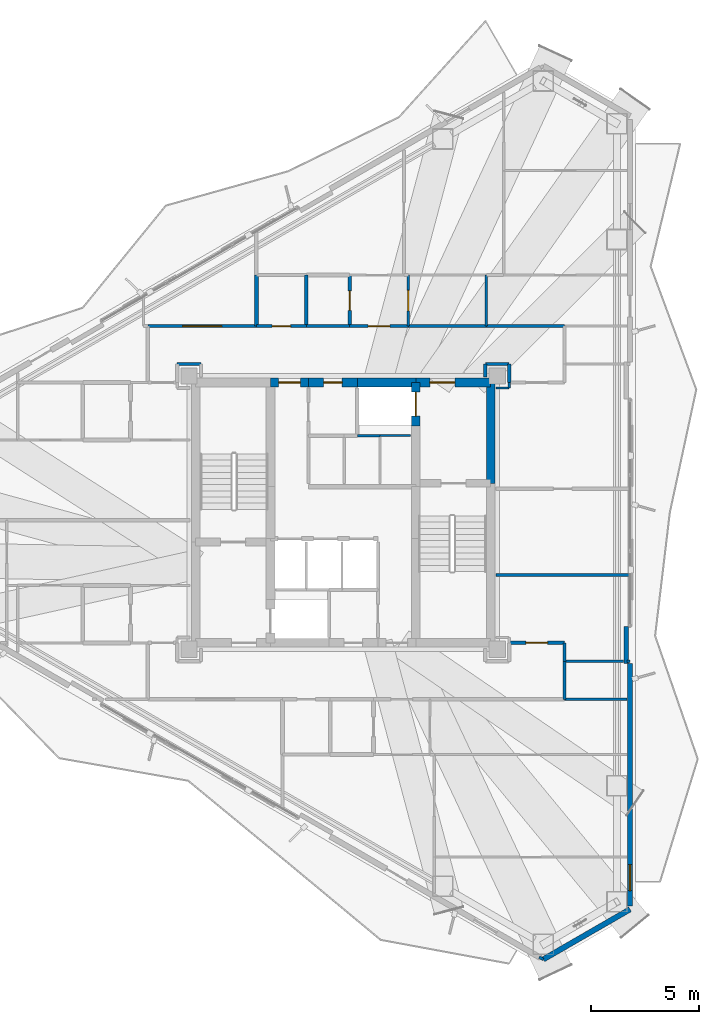
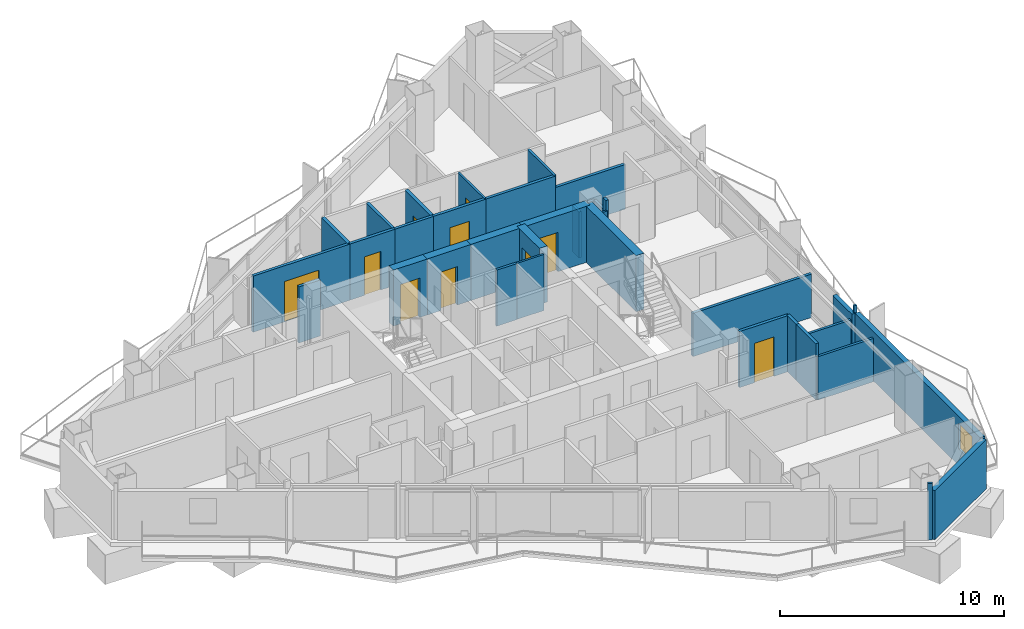
# One storey, part 17 of 21: 36 walls, 10 doors, 1 window, 11 openings.
"""IFC4 building model written with IfcOpenShell, lengths in metres."""

import ifcopenshell
import ifcopenshell.guid

model = None  # the IFC model being written
_history = None  # IfcOwnerHistory: only IFC2X3 demands one
_inside = {}  # id of a spatial element -> (the spatial element, [elements in it])
_under = {}  # id of a project, library or spatial element -> (it, [spatial elements below it])
_declared = {}  # id of a project -> (the project, [libraries it declares])
_typed = {}  # id of a type object -> (the type object, [elements of that type])
_made_of = {}  # id of a material, layer set ... -> (it, [elements and type objects made of it])


def new_model(schema):
    """Start an empty IFC model of exactly this schema.

    Asked for "IFC4X3", IfcOpenShell would pick the latest addendum, in which some entities
    have other attributes; the version numbers below select the first issue.
    IFC2X3 requires an IfcOwnerHistory on every rooted entity: one is made here for all.
    """
    global model, _history
    if schema == "IFC4X3":
        model = ifcopenshell.file(schema_version=(4, 3, 0, 0))
    else:
        model = ifcopenshell.file(schema=schema)
    _inside.clear()
    _under.clear()
    _declared.clear()
    _typed.clear()
    _made_of.clear()
    _history = None
    if model.schema == "IFC2X3":
        org = make("IfcOrganization", Name="unknown")
        user = make(
            "IfcPersonAndOrganization",
            ThePerson=make("IfcPerson", FamilyName="unknown"),
            TheOrganization=org,
        )
        app = make(
            "IfcApplication",
            ApplicationDeveloper=org,
            Version="unknown",
            ApplicationFullName="unknown",
            ApplicationIdentifier="unknown",
        )
        _history = make(
            "IfcOwnerHistory",
            OwningUser=user,
            OwningApplication=app,
            ChangeAction="ADDED",
            CreationDate=0,
        )
    return model


def make(cls, **values):
    """One entity of the class cls with the attributes given. An attribute that is None is left unset."""
    return model.create_entity(
        cls, **{name: value for name, value in values.items() if value is not None}
    )


def rooted(cls, **values):
    """An entity with a GlobalId (a new one), such as an element, a storey or a relation."""
    return make(cls, GlobalId=ifcopenshell.guid.new(), OwnerHistory=_history, **values)


def si_unit(unit_type, name, prefix=None):
    """IfcSIUnit, for example si_unit("LENGTHUNIT", "METRE", prefix="MILLI")."""
    return make("IfcSIUnit", UnitType=unit_type, Prefix=prefix, Name=name)


def assignment(units):
    """IfcUnitAssignment: the units of a project."""
    return None if units is None else make("IfcUnitAssignment", Units=units)


def point(xyz):
    """IfcCartesianPoint."""
    return None if xyz is None else make("IfcCartesianPoint", Coordinates=xyz)


def direction(xyz):
    """IfcDirection."""
    return None if xyz is None else make("IfcDirection", DirectionRatios=xyz)


def frame(location, z_axis=None, x_axis=None):
    """IfcAxis2Placement3D, a coordinate frame: its origin and axes. An axis left out is left unset."""
    return make(
        "IfcAxis2Placement3D",
        Location=point(location),
        Axis=direction(z_axis),
        RefDirection=direction(x_axis),
    )


def frame_2d(location, x_axis=None):
    """IfcAxis2Placement2D, a coordinate frame in the plane: its origin and x axis."""
    return make(
        "IfcAxis2Placement2D", Location=point(location), RefDirection=direction(x_axis)
    )


def origin():
    """The frame at (0, 0, 0) with its axes left unset."""
    return frame((0.0, 0.0, 0.0))


def place(relative_to, where):
    """IfcLocalPlacement: puts the frame where relative to a parent placement (None: the world)."""
    return make(
        "IfcLocalPlacement", PlacementRelTo=relative_to, RelativePlacement=where
    )


def context(
    kind, dimensions, precision=None, world=None, true_north=None, identifier=None
):
    """IfcGeometricRepresentationContext, for example the 3D "Model" context."""
    return make(
        "IfcGeometricRepresentationContext",
        ContextIdentifier=identifier,
        ContextType=kind,
        CoordinateSpaceDimension=dimensions,
        Precision=precision,
        WorldCoordinateSystem=world,
        TrueNorth=true_north,
    )


def subcontext(parent, identifier, kind, view, scale=None):
    """IfcGeometricRepresentationSubContext, for example "Body" below "Model"."""
    return make(
        "IfcGeometricRepresentationSubContext",
        ContextIdentifier=identifier,
        ContextType=kind,
        ParentContext=parent,
        TargetScale=scale,
        TargetView=view,
    )


def project(units=None, contexts=None):
    """IfcProject with its units and contexts."""
    return rooted(
        "IfcProject",
        Name="project",
        RepresentationContexts=contexts,
        UnitsInContext=assignment(units),
    )


def spatial(cls, under=None, at=None, **own):
    """A site, building, storey or space (cls), placed at a placement, below another one or the project."""
    s = rooted(cls, ObjectPlacement=at, **own)
    if under is not None:
        _under.setdefault(under.id(), (under, []))[1].append(s)
    return s


def profile(cls, at=None, kind="AREA", **sizes):
    """A parametric profile (cls). Its sizes go by their IFC names, for example OverallWidth=200.0."""
    return make(cls, ProfileType=kind, Position=at, **sizes)


def rectangle(**sizes):
    """IfcRectangleProfileDef."""
    return profile("IfcRectangleProfileDef", **sizes)


def extrude(swept, where, along, depth):
    """IfcExtrudedAreaSolid: the profile swept, set in the frame where, extruded along a direction by depth."""
    return make(
        "IfcExtrudedAreaSolid",
        SweptArea=swept,
        Position=where,
        ExtrudedDirection=direction(along),
        Depth=depth,
    )


def shape(context_of_items, identifier, shape_type, items):
    """IfcShapeRepresentation: the items that make up one representation, for example the "Body"."""
    return make(
        "IfcShapeRepresentation",
        ContextOfItems=context_of_items,
        RepresentationIdentifier=identifier,
        RepresentationType=shape_type,
        Items=items,
    )


def material(Name=None, Category=None):
    """IfcMaterial."""
    return make("IfcMaterial", Name=Name, Category=Category)


def layer(
    of_material, thickness, ventilated=None, Name=None, Category=None, Priority=None
):
    """IfcMaterialLayer: one layer of a wall or slab, of a material (None: an air gap)."""
    return make(
        "IfcMaterialLayer",
        Material=of_material,
        LayerThickness=thickness,
        IsVentilated=ventilated,
        Name=Name,
        Category=Category,
        Priority=Priority,
    )


def layer_set(layers, Name=None):
    """IfcMaterialLayerSet."""
    return make("IfcMaterialLayerSet", MaterialLayers=layers, LayerSetName=Name)


def made_of(thing, what):
    """Note that an element or type object is made of a material, layer set ...; save() writes the relation."""
    if what is not None:
        _made_of.setdefault(what.id(), (what, []))[1].append(thing)
    return thing


def type_object(cls, material=None, **own):
    """A type object (cls), such as IfcWallType, which elements share."""
    return made_of(rooted(cls, **own), material)


def element(
    cls,
    number,
    at=None,
    inside=None,
    cuts=None,
    type_object=None,
    material=None,
    context=None,
    identifier="Body",
    shape_type=None,
    held_by="IfcProductDefinitionShape",
    body=None,
    shapes=None,
    **own,
):
    """One element of the class cls, such as IfcWall. Its Tag is "e" and its number.

    at: its placement. inside: the storey or other place that contains it. cuts: it is an
    opening in that element (IfcRelVoidsElement). A single representation is given by context,
    identifier, shape_type and body (its items); several are given by shapes. held_by: the class
    of the entity that holds the representations. save() writes the other relations.
    """
    e = rooted(cls, Tag="e%d" % number, ObjectPlacement=at, **own)
    if body is not None:
        shapes = [shape(context, identifier, shape_type, body)]
    if shapes is not None:
        e.Representation = make(held_by, Representations=shapes)
    if inside is not None:
        _inside.setdefault(inside.id(), (inside, []))[1].append(e)
    if cuts is not None:
        rooted(
            "IfcRelVoidsElement", RelatingBuildingElement=cuts, RelatedOpeningElement=e
        )
    if type_object is not None:
        _typed.setdefault(type_object.id(), (type_object, []))[1].append(e)
    return made_of(e, material)


def fill(opening, filler):
    """IfcRelFillsElement: the door or window that sits in an opening."""
    return rooted(
        "IfcRelFillsElement",
        RelatingOpeningElement=opening,
        RelatedBuildingElement=filler,
    )


def aggregate(whole, parts):
    """IfcRelAggregates: a whole, such as a stair, and the parts it consists of."""
    return rooted("IfcRelAggregates", RelatingObject=whole, RelatedObjects=parts)


def save(model, path):
    """Write the relations noted so far, then the file.

    IfcRelAggregates (storeys below a building ...), IfcRelContainedInSpatialStructure (elements
    in a storey), IfcRelDefinesByType, IfcRelAssociatesMaterial and IfcRelDeclares: one each for
    every whole, place, type object, material and project.
    """
    for whole, parts in _under.values():
        aggregate(whole, parts)
    for where, things in _inside.values():
        rooted(
            "IfcRelContainedInSpatialStructure",
            RelatedElements=things,
            RelatingStructure=where,
        )
    for kind, things in _typed.values():
        rooted("IfcRelDefinesByType", RelatedObjects=things, RelatingType=kind)
    for what, things in _made_of.values():
        rooted("IfcRelAssociatesMaterial", RelatedObjects=things, RelatingMaterial=what)
    for by, libraries in _declared.values():
        rooted("IfcRelDeclares", RelatingContext=by, RelatedDefinitions=libraries)
    model.write(path)


model = new_model("IFC4")

# Units and contexts
model_context = context("Model", 3, precision=1e-05, world=origin(), true_north=direction((0.0, 1.0)))
body_context = subcontext(model_context, "Body", "Model", "MODEL_VIEW")
ifc_project = project(units=[si_unit("LENGTHUNIT", "METRE"), si_unit("AREAUNIT", "SQUARE_METRE"), si_unit("VOLUMEUNIT", "CUBIC_METRE"), si_unit("PLANEANGLEUNIT", "RADIAN"), si_unit("MASSUNIT", "GRAM", prefix="KILO")], contexts=[model_context])

# Site, building, storey
site_placement = place(None, origin())
site = spatial("IfcSite", under=ifc_project, at=site_placement, CompositionType="ELEMENT")
building_placement = place(site_placement, origin())
building = spatial("IfcBuilding", under=site, at=building_placement, Name="Mersakhor Tower and Convention Hall", CompositionType="ELEMENT")
storey_placement = place(building_placement, frame((0.0, 0.0, 121.199951171875)))
storey = spatial("IfcBuildingStorey", under=building, at=storey_placement, Name="L33", CompositionType="ELEMENT", Elevation=121.199951171875)

# Wall
ifc_material_1 = material(Name="Precast concrete C40/50", Category="concrete")
ifc_layer_1 = layer(ifc_material_1, 0.25)
ifc_layer_set_1 = layer_set([ifc_layer_1], Name="Precast concrete C40/50")
wall_type_1 = type_object("IfcWallType", Name="WL-EXT-250", PredefinedType="SOLIDWALL", material=ifc_layer_set_1)
wall_1_placement = place(storey_placement, frame((42.21923828125, 8.470947265625, 0.0), z_axis=(0.0, 0.0, 1.0), x_axis=(-0.866035021055, -0.499983342029, 0.0)))
element("IfcWall", 1, at=wall_1_placement, inside=storey, type_object=wall_type_1, Name="L33 Chamfer Braced Spandrel Wall C2", PredefinedType="SOLIDWALL", context=body_context, shape_type="SweptSolid", body=[
    extrude(rectangle(XDim=4.617431640625, YDim=0.25, at=frame_2d((2.30859375, 0.0))), origin(), (0.0, 0.0, 1.0), 2.679931640625),
])

# Wall, opening, window
wall_2_placement = place(storey_placement, frame((42.21923828125, 19.806884765625, 0.0), z_axis=(0.0, 0.0, 1.0), x_axis=(0.0, -1.0, 0.0)))
wall_2 = element("IfcWall", 2, at=wall_2_placement, inside=storey, type_object=wall_type_1, Name="L33 Exterior Facade Wall F2-B3", PredefinedType="SOLIDWALL", context=body_context, shape_type="SweptSolid", body=[
    extrude(rectangle(XDim=11.185791015625, YDim=0.25, at=frame_2d((5.5927734375, 0.0))), origin(), (0.0, 0.0, 1.0), 2.679931640625),
])
opening_1_placement = place(wall_2_placement, frame((9.277099609375, 0.0, 0.89990234375)))
opening_1 = element("IfcOpeningElement", 3, at=opening_1_placement, cuts=wall_2, Name="Opening W-01", PredefinedType="OPENING", context=body_context, shape_type="SweptSolid", body=[
    extrude(rectangle(XDim=1.199951171875, YDim=1.39990234375, at=frame_2d((0.60009765625, 0.699951171875))), frame((0.0, 0.135009765625, 0.0), z_axis=(0.0, -1.0, 0.0), x_axis=(1.0, 0.0, 0.0)), (0.0, 0.0, 1.0), 0.27001953125),
])
ifc_material_2 = material(Name="Dark solar low-E glazed aluminium window", Category="aluminium")
window_type = type_object("IfcWindowType", Name="WN-RES-120x150", PartitioningType="SINGLE_PANEL", PredefinedType="WINDOW", material=ifc_material_2)
window_placement = place(opening_1_placement, origin())
window = element("IfcWindow", 4, at=window_placement, inside=storey, type_object=window_type, Name="L33 Bedroom Facade Window F2-B3-1", OverallHeight=1.39990234375, OverallWidth=1.199951171875, PartitioningType="SINGLE_PANEL", PredefinedType="WINDOW", context=body_context, shape_type="SweptSolid", body=[
    extrude(rectangle(XDim=1.199951171875, YDim=1.39990234375, at=frame_2d((0.60009765625, 0.699951171875))), frame((0.0, 0.030029296875, 0.0), z_axis=(0.0, -1.0, 0.0), x_axis=(1.0, 0.0, 0.0)), (0.0, 0.0, 1.0), 0.06005859375),
])
fill(opening_1, window)

# Wall
ifc_material_3 = material(Name="Precast concrete C40/50", Category="concrete")
ifc_layer_2 = layer(ifc_material_3, 0.199951171875)
ifc_layer_set_2 = layer_set([ifc_layer_2], Name="Precast concrete C40/50")
wall_type_2 = type_object("IfcWallType", Name="WL-PAR-200", PredefinedType="PARAPET", material=ifc_layer_set_2)
wall_3_placement = place(storey_placement, frame((42.039306640625, 21.507080078125, 0.0), z_axis=(0.0, 0.0, 1.0), x_axis=(0.0, -1.0, 0.0)))
element("IfcWall", 5, at=wall_3_placement, inside=storey, type_object=wall_type_2, Name="L33 Column Pier Cladding Wall F2-C2", PredefinedType="PARAPET", context=body_context, shape_type="SweptSolid", body=[
    extrude(rectangle(XDim=1.7001953125, YDim=0.199951171875, at=frame_2d((0.85009765625, 0.0))), origin(), (0.0, 0.0, 1.0), 2.679931640625),
])

# Wall, opening, door
ifc_material_4 = material(Name="Moisture-resistant acoustic drywall studwork", Category="other")
ifc_layer_3 = layer(ifc_material_4, 0.175048828125)
ifc_layer_set_3 = layer_set([ifc_layer_3], Name="Moisture-resistant acoustic drywall studwork")
wall_type_3 = type_object("IfcWallType", Name="WL-PLM-175", PredefinedType="PLUMBINGWALL", material=ifc_layer_set_3)
wall_4_placement = place(storey_placement, frame((29.300048828125, 35.35009765625, 0.0), z_axis=(0.0, 0.0, 1.0), x_axis=(0.0, 1.0, 0.0)))
wall_4 = element("IfcWall", 6, at=wall_4_placement, inside=storey, type_object=wall_type_3, Name="L33 Interior Partition Wall P-055", PredefinedType="PLUMBINGWALL", context=body_context, shape_type="SweptSolid", body=[
    extrude(rectangle(XDim=2.349853515625, YDim=0.175048828125, at=frame_2d((1.1748046875, 0.0))), origin(), (0.0, 0.0, 1.0), 3.06005859375),
])
opening_2_placement = place(wall_4_placement, frame((0.72509765625, 0.0, 0.0)))
opening_2 = element("IfcOpeningElement", 7, at=opening_2_placement, cuts=wall_4, Name="Opening WD-01", PredefinedType="OPENING", context=body_context, shape_type="SweptSolid", body=[
    extrude(rectangle(XDim=0.89990234375, YDim=2.10009765625, at=frame_2d((0.449951171875, 1.050048828125))), frame((0.0, 0.097412109375, 0.0), z_axis=(0.0, -1.0, 0.0), x_axis=(1.0, 0.0, 0.0)), (0.0, 0.0, 1.0), 0.195068359375),
])
ifc_material_5 = material(Name="Solid-core hardwood leaf in painted steel frame", Category="steel")
door_type_1 = type_object("IfcDoorType", Name="DR-INT-WET-090x210", OperationType="NOTDEFINED", PredefinedType="DOOR", material=ifc_material_5)
door_1_placement = place(opening_2_placement, origin())
door_1 = element("IfcDoor", 8, at=door_1_placement, inside=storey, type_object=door_type_1, Name="L33 L33 Flat N1 Apartment Hall to L33 Flat N1 Bathroom Door", OperationType="SINGLE_SWING_RIGHT", OverallHeight=2.10009765625, OverallWidth=0.89990234375, PredefinedType="DOOR", context=body_context, shape_type="SweptSolid", body=[
    extrude(rectangle(XDim=0.89990234375, YDim=2.10009765625, at=frame_2d((0.449951171875, 1.050048828125))), frame((0.0, 0.02490234375, 0.0), z_axis=(0.0, -1.0, 0.0), x_axis=(1.0, 0.0, 0.0)), (0.0, 0.0, 1.0), 0.050048828125),
])
fill(opening_2, door_1)

# Walls
wall_5_placement = place(storey_placement, frame((25.0, 35.35009765625, 0.0), z_axis=(0.0, 0.0, 1.0), x_axis=(0.0, 1.0, 0.0)))
element("IfcWall", 9, at=wall_5_placement, inside=storey, type_object=wall_type_3, Name="L33 Interior Partition Wall P-071", PredefinedType="PLUMBINGWALL", context=body_context, shape_type="SweptSolid", body=[
    extrude(rectangle(XDim=2.349853515625, YDim=0.175048828125, at=frame_2d((1.1748046875, 0.0))), origin(), (0.0, 0.0, 1.0), 3.06005859375),
])
ifc_material_6 = material(Name="Lightweight gypsum partition", Category="other")
ifc_layer_4 = layer(ifc_material_6, 0.10009765625)
ifc_layer_set_4 = layer_set([ifc_layer_4], Name="Lightweight gypsum partition")
wall_type_4 = type_object("IfcWallType", Name="WL-PRT-100", PredefinedType="PARTITIONING", material=ifc_layer_set_4)
wall_6_placement = place(storey_placement, frame((32.10009765625, 30.300048828125, 0.0), z_axis=(0.0, 0.0, 1.0), x_axis=(-1.0, 0.0, 0.0)))
element("IfcWall", 10, at=wall_6_placement, inside=storey, type_object=wall_type_4, Name="L33 Interior Partition Wall P-004", PredefinedType="PARTITIONING", context=body_context, shape_type="SweptSolid", body=[
    extrude(rectangle(XDim=1.400146484375, YDim=0.10009765625, at=frame_2d((0.7001953125, 0.0))), origin(), (0.0, 0.0, 1.0), 3.06005859375),
])

# Wall, opening, door
wall_7_placement = place(storey_placement, frame((32.0, 37.699951171875, 0.0), z_axis=(0.0, 0.0, 1.0), x_axis=(0.0, -1.0, 0.0)))
wall_7 = element("IfcWall", 11, at=wall_7_placement, inside=storey, type_object=wall_type_4, Name="L33 Interior Partition Wall P-054", PredefinedType="PARTITIONING", context=body_context, shape_type="SweptSolid", body=[
    extrude(rectangle(XDim=2.349853515625, YDim=0.10009765625, at=frame_2d((1.1748046875, 0.0))), origin(), (0.0, 0.0, 1.0), 3.06005859375),
])
opening_3_placement = place(wall_7_placement, frame((0.699951171875, 0.0, 0.0)))
opening_3 = element("IfcOpeningElement", 12, at=opening_3_placement, cuts=wall_7, Name="Opening RD-01", PredefinedType="OPENING", context=body_context, shape_type="SweptSolid", body=[
    extrude(rectangle(XDim=0.949951171875, YDim=2.10009765625, at=frame_2d((0.47509765625, 1.050048828125))), frame((0.0, 0.06005859375, 0.0), z_axis=(0.0, -1.0, 0.0), x_axis=(1.0, 0.0, 0.0)), (0.0, 0.0, 1.0), 0.1201171875),
])
ifc_material_7 = material(Name="Solid-core hardwood leaf in painted steel frame", Category="steel")
door_type_2 = type_object("IfcDoorType", Name="DR-INT-RM-095x210", OperationType="NOTDEFINED", PredefinedType="DOOR", material=ifc_material_7)
door_2_placement = place(opening_3_placement, origin())
door_2 = element("IfcDoor", 13, at=door_2_placement, inside=storey, type_object=door_type_2, Name="L33 L33 Flat N1 Apartment Hall to L33 Flat N1 Kitchen Door", OperationType="SINGLE_SWING_LEFT", OverallHeight=2.10009765625, OverallWidth=0.949951171875, PredefinedType="DOOR", context=body_context, shape_type="SweptSolid", body=[
    extrude(rectangle(XDim=0.949951171875, YDim=2.10009765625, at=frame_2d((0.47509765625, 1.050048828125))), frame((0.0, 0.02490234375, 0.0), z_axis=(0.0, -1.0, 0.0), x_axis=(1.0, 0.0, 0.0)), (0.0, 0.0, 1.0), 0.050048828125),
])
fill(opening_3, door_2)

# Walls
wall_8_placement = place(storey_placement, frame((36.050048828125, 32.5, 0.0), z_axis=(0.0, 0.0, 1.0), x_axis=(1.0, 0.0, 0.0)))
element("IfcWall", 14, at=wall_8_placement, inside=storey, type_object=wall_type_4, Name="L33 Interior Partition Wall P-100", PredefinedType="PARTITIONING", context=body_context, shape_type="SweptSolid", body=[
    extrude(rectangle(XDim=0.599853515625, YDim=0.10009765625, at=frame_2d((0.2998046875, 0.0))), origin(), (0.0, 0.0, 1.0), 2.50830078125),
])
wall_9_placement = place(storey_placement, frame((42.218994140625, 19.89990234375, 0.0), z_axis=(0.0, 0.0, 1.0), x_axis=(-1.0, 0.0, 0.0)))
element("IfcWall", 15, at=wall_9_placement, inside=storey, type_object=wall_type_4, Name="L33 Interior Partition Wall P-108", PredefinedType="PARTITIONING", context=body_context, shape_type="SweptSolid", body=[
    extrude(rectangle(XDim=0.144775390625, YDim=0.10009765625, at=frame_2d((0.072265625, 0.0))), origin(), (0.0, 0.0, 1.0), 3.06005859375),
])
ifc_material_8 = material(Name="Gypsum board acoustic partition", Category="other")
ifc_layer_5 = layer(ifc_material_8, 0.125)
ifc_layer_set_5 = layer_set([ifc_layer_5], Name="Gypsum board acoustic partition")
wall_type_5 = type_object("IfcWallType", Name="WL-PRT-125", PredefinedType="PARTITIONING", material=ifc_layer_set_5)
wall_10_placement = place(storey_placement, frame((30.699951171875, 30.300048828125, 0.0), z_axis=(0.0, 0.0, 1.0), x_axis=(-1.0, 0.0, 0.0)))
element("IfcWall", 16, at=wall_10_placement, inside=storey, type_object=wall_type_5, Name="L33 Interior Partition Wall P-005", PredefinedType="PARTITIONING", context=body_context, shape_type="SweptSolid", body=[
    extrude(rectangle(XDim=1.050048828125, YDim=0.125, at=frame_2d((0.52490234375, 0.0))), origin(), (0.0, 0.0, 1.0), 3.06005859375),
])
wall_11_placement = place(storey_placement, frame((35.60009765625, 37.699951171875, 0.0), z_axis=(0.0, 0.0, 1.0), x_axis=(0.0, -1.0, 0.0)))
element("IfcWall", 17, at=wall_11_placement, inside=storey, type_object=wall_type_5, Name="L33 Interior Partition Wall P-077", PredefinedType="PARTITIONING", context=body_context, shape_type="SweptSolid", body=[
    extrude(rectangle(XDim=2.349853515625, YDim=0.125, at=frame_2d((1.1748046875, 0.0))), origin(), (0.0, 0.0, 1.0), 3.06005859375),
])
wall_12_placement = place(storey_placement, frame((39.199951171875, 18.14990234375, 0.0), z_axis=(0.0, 0.0, 1.0), x_axis=(1.0, 0.0, 0.0)))
element("IfcWall", 18, at=wall_12_placement, inside=storey, type_object=wall_type_5, Name="L33 Interior Partition Wall P-079", PredefinedType="PARTITIONING", context=body_context, shape_type="SweptSolid", body=[
    extrude(rectangle(XDim=2.870361328125, YDim=0.125, at=frame_2d((1.43505859375, 0.0))), origin(), (0.0, 0.0, 1.0), 2.364990234375),
])
wall_13_placement = place(storey_placement, frame((36.64990234375, 32.5, 0.0), z_axis=(0.0, 0.0, 1.0), x_axis=(0.0, 1.0, 0.0)))
element("IfcWall", 19, at=wall_13_placement, inside=storey, type_object=wall_type_5, Name="L33 Interior Partition Wall P-101", PredefinedType="PARTITIONING", context=body_context, shape_type="SweptSolid", body=[
    extrude(rectangle(XDim=0.25, YDim=0.125, at=frame_2d((0.125, 0.0))), origin(), (0.0, 0.0, 1.0), 3.06005859375),
])
wall_14_placement = place(storey_placement, frame((41.915283203125, 19.89990234375, 0.0), z_axis=(0.0, 0.0, 1.0), x_axis=(-1.0, 0.0, 0.0)))
element("IfcWall", 20, at=wall_14_placement, inside=storey, type_object=wall_type_5, Name="L33 Interior Partition Wall P-109", PredefinedType="PARTITIONING", context=body_context, shape_type="SweptSolid", body=[
    extrude(rectangle(XDim=2.71533203125, YDim=0.125, at=frame_2d((1.357666015625, 0.0))), origin(), (0.0, 0.0, 1.0), 2.364990234375),
])
wall_15_placement = place(storey_placement, frame((38.220703125, 6.162109375, 0.0), z_axis=(0.0, 0.0, 1.0), x_axis=(-0.865581379588, 0.500768285049, 0.0)))
element("IfcWall", 21, at=wall_15_placement, inside=storey, type_object=wall_type_5, Name="L33 Interior Partition Wall P-121", PredefinedType="PARTITIONING", context=body_context, shape_type="SweptSolid", body=[
    extrude(rectangle(XDim=0.215576171875, YDim=0.125, at=frame_2d((0.10791015625, 0.0))), origin(), (0.0, 0.0, 1.0), 3.06005859375),
])
ifc_material_9 = material(Name="Fire-rated gypsum board stud partition", Category="other")
ifc_layer_6 = layer(ifc_material_9, 0.14990234375)
ifc_layer_set_6 = layer_set([ifc_layer_6], Name="Fire-rated gypsum board stud partition")
wall_type_6 = type_object("IfcWallType", Name="WL-PRT-150", PredefinedType="PARTITIONING", material=ifc_layer_set_6)
wall_16_placement = place(storey_placement, frame((35.550048828125, 33.60009765625, 0.0), z_axis=(0.0, 0.0, 1.0), x_axis=(0.0, -1.0, 0.0)))
element("IfcWall", 22, at=wall_16_placement, inside=storey, type_object=wall_type_6, Name="L33 Interior Partition Wall P-019", PredefinedType="PARTITIONING", context=body_context, shape_type="SweptSolid", body=[
    extrude(rectangle(XDim=0.60009765625, YDim=0.14990234375, at=frame_2d((0.300048828125, 0.0))), origin(), (0.0, 0.0, 1.0), 2.50830078125),
])
wall_17_placement = place(storey_placement, frame((22.449951171875, 33.60009765625, 0.0), z_axis=(0.0, 0.0, 1.0), x_axis=(-1.0, 0.0, 0.0)))
element("IfcWall", 23, at=wall_17_placement, inside=storey, type_object=wall_type_6, Name="L33 Interior Partition Wall P-021", PredefinedType="PARTITIONING", context=body_context, shape_type="SweptSolid", body=[
    extrude(rectangle(XDim=1.099853515625, YDim=0.14990234375, at=frame_2d((0.5498046875, 0.0))), origin(), (0.0, 0.0, 1.0), 3.06005859375),
])

# Wall, opening, door
wall_18_placement = place(storey_placement, frame((20.0, 35.35009765625, 0.0), z_axis=(0.0, 0.0, 1.0), x_axis=(1.0, 0.0, 0.0)))
wall_18 = element("IfcWall", 24, at=wall_18_placement, inside=storey, type_object=wall_type_6, Name="L33 Interior Partition Wall P-025", PredefinedType="PARTITIONING", context=body_context, shape_type="SweptSolid", body=[
    extrude(rectangle(XDim=5.0, YDim=0.14990234375, at=frame_2d((2.5, 0.0))), origin(), (0.0, 0.0, 1.0), 3.06005859375),
])
opening_4_placement = place(wall_18_placement, frame((1.60009765625, 0.0, 0.0)))
opening_4 = element("IfcOpeningElement", 25, at=opening_4_placement, cuts=wall_18, Name="Opening HD-01", PredefinedType="OPENING", context=body_context, shape_type="SweptSolid", body=[
    extrude(rectangle(XDim=1.800048828125, YDim=2.199951171875, at=frame_2d((0.89990234375, 1.10009765625))), frame((0.0, 0.0849609375, 0.0), z_axis=(0.0, -1.0, 0.0), x_axis=(1.0, 0.0, 0.0)), (0.0, 0.0, 1.0), 0.169921875),
])
ifc_material_10 = material(Name="Fire-rated hardwood leaf and painted steel frame", Category="steel")
door_type_3 = type_object("IfcDoorType", Name="DR-INT-HALL-180x220", OperationType="NOTDEFINED", PredefinedType="DOOR", material=ifc_material_10)
door_3_placement = place(opening_4_placement, origin())
door_3 = element("IfcDoor", 26, at=door_3_placement, inside=storey, type_object=door_type_3, Name="L33 Residential North Gallery Corridor to L33 North Floor Residents Meeting Room Door", OperationType="DOUBLE_DOOR_SINGLE_SWING", OverallHeight=2.199951171875, OverallWidth=1.800048828125, PredefinedType="DOOR", context=body_context, shape_type="SweptSolid", body=[
    extrude(rectangle(XDim=1.800048828125, YDim=2.199951171875, at=frame_2d((0.89990234375, 1.10009765625))), frame((0.0, 0.02490234375, 0.0), z_axis=(0.0, -1.0, 0.0), x_axis=(1.0, 0.0, 0.0)), (0.0, 0.0, 1.0), 0.050048828125),
])
fill(opening_4, door_3)

wall_19_placement = place(storey_placement, frame((25.0, 35.35009765625, 0.0), z_axis=(0.0, 0.0, 1.0), x_axis=(1.0, 0.0, 0.0)))
wall_19 = element("IfcWall", 27, at=wall_19_placement, inside=storey, type_object=wall_type_6, Name="L33 Interior Partition Wall P-026", PredefinedType="PARTITIONING", context=body_context, shape_type="SweptSolid", body=[
    extrude(rectangle(XDim=2.300048828125, YDim=0.14990234375, at=frame_2d((1.14990234375, 0.0))), origin(), (0.0, 0.0, 1.0), 3.06005859375),
])
opening_5_placement = place(wall_19_placement, frame((0.72509765625, 0.0, 0.0)))
opening_5 = element("IfcOpeningElement", 28, at=opening_5_placement, cuts=wall_19, Name="Opening SVD-01", PredefinedType="OPENING", context=body_context, shape_type="SweptSolid", body=[
    extrude(rectangle(XDim=0.85009765625, YDim=2.10009765625, at=frame_2d((0.425048828125, 1.050048828125))), frame((0.0, 0.0849609375, 0.0), z_axis=(0.0, -1.0, 0.0), x_axis=(1.0, 0.0, 0.0)), (0.0, 0.0, 1.0), 0.169921875),
])
ifc_material_11 = material(Name="Fire-rated hardwood leaf and painted steel frame", Category="steel")
door_type_4 = type_object("IfcDoorType", Name="DR-INT-SVC-085x210", OperationType="NOTDEFINED", PredefinedType="DOOR", material=ifc_material_11)
door_4_placement = place(opening_5_placement, origin())
door_4 = element("IfcDoor", 29, at=door_4_placement, inside=storey, type_object=door_type_4, Name="L33 Residential North Gallery Corridor to L33 North Floor Accessible Toilet WC Door", OperationType="SINGLE_SWING_RIGHT", OverallHeight=2.10009765625, OverallWidth=0.85009765625, PredefinedType="DOOR", context=body_context, shape_type="SweptSolid", body=[
    extrude(rectangle(XDim=0.85009765625, YDim=2.10009765625, at=frame_2d((0.425048828125, 1.050048828125))), frame((0.0, 0.02490234375, 0.0), z_axis=(0.0, -1.0, 0.0), x_axis=(1.0, 0.0, 0.0)), (0.0, 0.0, 1.0), 0.050048828125),
])
fill(opening_5, door_4)

# Wall
wall_20_placement = place(storey_placement, frame((27.300048828125, 35.35009765625, 0.0), z_axis=(0.0, 0.0, 1.0), x_axis=(1.0, 0.0, 0.0)))
element("IfcWall", 30, at=wall_20_placement, inside=storey, type_object=wall_type_6, Name="L33 Interior Partition Wall P-027", PredefinedType="PARTITIONING", context=body_context, shape_type="SweptSolid", body=[
    extrude(rectangle(XDim=2.0, YDim=0.14990234375, at=frame_2d((1.0, 0.0))), origin(), (0.0, 0.0, 1.0), 3.06005859375),
])

# Wall, opening, door
wall_21_placement = place(storey_placement, frame((29.300048828125, 35.35009765625, 0.0), z_axis=(0.0, 0.0, 1.0), x_axis=(1.0, 0.0, 0.0)))
wall_21 = element("IfcWall", 31, at=wall_21_placement, inside=storey, type_object=wall_type_6, Name="L33 Interior Partition Wall P-028", PredefinedType="PARTITIONING", context=body_context, shape_type="SweptSolid", body=[
    extrude(rectangle(XDim=2.699951171875, YDim=0.14990234375, at=frame_2d((1.35009765625, 0.0))), origin(), (0.0, 0.0, 1.0), 3.06005859375),
])
opening_6_placement = place(wall_21_placement, frame((0.85009765625, 0.0, 0.0)))
opening_6 = element("IfcOpeningElement", 32, at=opening_6_placement, cuts=wall_21, Name="Opening FD-01", PredefinedType="OPENING", context=body_context, shape_type="SweptSolid", body=[
    extrude(rectangle(XDim=1.0, YDim=2.14990234375, at=frame_2d((0.5, 1.074951171875))), frame((0.0, 0.0849609375, 0.0), z_axis=(0.0, -1.0, 0.0), x_axis=(1.0, 0.0, 0.0)), (0.0, 0.0, 1.0), 0.169921875),
])
ifc_material_12 = material(Name="Fire-rated hardwood leaf and painted steel frame", Category="steel")
door_type_5 = type_object("IfcDoorType", Name="DR-INT-FLT-100x215", OperationType="NOTDEFINED", PredefinedType="DOOR", material=ifc_material_12)
door_5_placement = place(opening_6_placement, origin())
door_5 = element("IfcDoor", 33, at=door_5_placement, inside=storey, type_object=door_type_5, Name="L33 Apartment Entrance Door (Residential North Gallery Corridor to L33 Flat N1 Apartment Hall)", OperationType="SINGLE_SWING_RIGHT", OverallHeight=2.14990234375, OverallWidth=1.0, PredefinedType="DOOR", context=body_context, shape_type="SweptSolid", body=[
    extrude(rectangle(XDim=1.0, YDim=2.14990234375, at=frame_2d((0.5, 1.074951171875))), frame((0.0, 0.02490234375, 0.0), z_axis=(0.0, -1.0, 0.0), x_axis=(1.0, 0.0, 0.0)), (0.0, 0.0, 1.0), 0.050048828125),
])
fill(opening_6, door_5)

# Walls
wall_22_placement = place(storey_placement, frame((32.0, 35.35009765625, 0.0), z_axis=(0.0, 0.0, 1.0), x_axis=(1.0, 0.0, 0.0)))
element("IfcWall", 34, at=wall_22_placement, inside=storey, type_object=wall_type_6, Name="L33 Interior Partition Wall P-029", PredefinedType="PARTITIONING", context=body_context, shape_type="SweptSolid", body=[
    extrude(rectangle(XDim=3.60009765625, YDim=0.14990234375, at=frame_2d((1.800048828125, 0.0))), origin(), (0.0, 0.0, 1.0), 3.06005859375),
])
wall_23_placement = place(storey_placement, frame((35.60009765625, 35.35009765625, 0.0), z_axis=(0.0, 0.0, 1.0), x_axis=(1.0, 0.0, 0.0)))
element("IfcWall", 35, at=wall_23_placement, inside=storey, type_object=wall_type_6, Name="L33 Interior Partition Wall P-030", PredefinedType="PARTITIONING", context=body_context, shape_type="SweptSolid", body=[
    extrude(rectangle(XDim=3.599853515625, YDim=0.14990234375, at=frame_2d((1.7998046875, 0.0))), origin(), (0.0, 0.0, 1.0), 2.432861328125),
])
wall_24_placement = place(storey_placement, frame((36.64990234375, 32.75, 0.0), z_axis=(0.0, 0.0, 1.0), x_axis=(0.0, 1.0, 0.0)))
element("IfcWall", 36, at=wall_24_placement, inside=storey, type_object=wall_type_6, Name="L33 Interior Partition Wall P-034", PredefinedType="PARTITIONING", context=body_context, shape_type="SweptSolid", body=[
    extrude(rectangle(XDim=0.85009765625, YDim=0.14990234375, at=frame_2d((0.425048828125, 0.0))), origin(), (0.0, 0.0, 1.0), 2.432861328125),
])
wall_25_placement = place(storey_placement, frame((36.64990234375, 33.60009765625, 0.0), z_axis=(0.0, 0.0, 1.0), x_axis=(-1.0, 0.0, 0.0)))
element("IfcWall", 37, at=wall_25_placement, inside=storey, type_object=wall_type_6, Name="L33 Interior Partition Wall P-035", PredefinedType="PARTITIONING", context=body_context, shape_type="SweptSolid", body=[
    extrude(rectangle(XDim=1.099853515625, YDim=0.14990234375, at=frame_2d((0.5498046875, 0.0))), origin(), (0.0, 0.0, 1.0), 2.432861328125),
])

# Wall, opening, door
wall_26_placement = place(storey_placement, frame((36.64990234375, 20.75, 0.0), z_axis=(0.0, 0.0, 1.0), x_axis=(1.0, 0.0, 0.0)))
wall_26 = element("IfcWall", 38, at=wall_26_placement, inside=storey, type_object=wall_type_6, Name="L33 Interior Partition Wall P-040", PredefinedType="PARTITIONING", context=body_context, shape_type="SweptSolid", body=[
    extrude(rectangle(XDim=2.550048828125, YDim=0.14990234375, at=frame_2d((1.27490234375, 0.0))), origin(), (0.0, 0.0, 1.0), 3.06005859375),
])
opening_7_placement = place(wall_26_placement, frame((0.77490234375, 0.0, 0.0)))
opening_7 = element("IfcOpeningElement", 39, at=opening_7_placement, cuts=wall_26, Name="Opening FD-01", PredefinedType="OPENING", context=body_context, shape_type="SweptSolid", body=[
    extrude(rectangle(XDim=1.0, YDim=2.14990234375, at=frame_2d((0.5, 1.074951171875))), frame((0.0, 0.0849609375, 0.0), z_axis=(0.0, -1.0, 0.0), x_axis=(1.0, 0.0, 0.0)), (0.0, 0.0, 1.0), 0.169921875),
])
door_6_placement = place(opening_7_placement, origin())
door_6 = element("IfcDoor", 40, at=door_6_placement, inside=storey, type_object=door_type_5, Name="L33 Residential South Gallery Corridor to L33 East Wing Communal Laundry Room Door", OperationType="SINGLE_SWING_LEFT", OverallHeight=2.14990234375, OverallWidth=1.0, PredefinedType="DOOR", context=body_context, shape_type="SweptSolid", body=[
    extrude(rectangle(XDim=1.0, YDim=2.14990234375, at=frame_2d((0.5, 1.074951171875))), frame((0.0, 0.02490234375, 0.0), z_axis=(0.0, -1.0, 0.0), x_axis=(1.0, 0.0, 0.0)), (0.0, 0.0, 1.0), 0.050048828125),
])
fill(opening_7, door_6)

# Walls
wall_27_placement = place(storey_placement, frame((39.199951171875, 20.75, 0.0), z_axis=(0.0, 0.0, 1.0), x_axis=(0.0, -1.0, 0.0)))
element("IfcWall", 41, at=wall_27_placement, inside=storey, type_object=wall_type_6, Name="L33 Interior Partition Wall P-041", PredefinedType="PARTITIONING", context=body_context, shape_type="SweptSolid", body=[
    extrude(rectangle(XDim=0.85009765625, YDim=0.14990234375, at=frame_2d((0.425048828125, 0.0))), origin(), (0.0, 0.0, 1.0), 3.06005859375),
])
wall_28_placement = place(storey_placement, frame((39.199951171875, 19.89990234375, 0.0), z_axis=(0.0, 0.0, 1.0), x_axis=(0.0, -1.0, 0.0)))
element("IfcWall", 42, at=wall_28_placement, inside=storey, type_object=wall_type_6, Name="L33 Interior Partition Wall P-042", PredefinedType="PARTITIONING", context=body_context, shape_type="SweptSolid", body=[
    extrude(rectangle(XDim=1.75, YDim=0.14990234375, at=frame_2d((0.875, 0.0))), origin(), (0.0, 0.0, 1.0), 3.06005859375),
])
wall_29_placement = place(storey_placement, frame((27.300048828125, 37.699951171875, 0.0), z_axis=(0.0, 0.0, 1.0), x_axis=(0.0, -1.0, 0.0)))
element("IfcWall", 43, at=wall_29_placement, inside=storey, type_object=wall_type_6, Name="L33 Interior Partition Wall P-070", PredefinedType="PARTITIONING", context=body_context, shape_type="SweptSolid", body=[
    extrude(rectangle(XDim=2.349853515625, YDim=0.14990234375, at=frame_2d((1.1748046875, 0.0))), origin(), (0.0, 0.0, 1.0), 3.06005859375),
])
wall_30_placement = place(storey_placement, frame((36.050048828125, 23.8798828125, 0.0), z_axis=(0.0, 0.0, 1.0), x_axis=(1.0, 0.0, 0.0)))
element("IfcWall", 44, at=wall_30_placement, inside=storey, type_object=wall_type_6, Name="L33 Interior Partition Wall P-107", PredefinedType="PARTITIONING", context=body_context, shape_type="SweptSolid", body=[
    extrude(rectangle(XDim=6.131103515625, YDim=0.14990234375, at=frame_2d((3.0654296875, 0.0))), origin(), (0.0, 0.0, 1.0), 2.364990234375),
])

# Wall, opening, door
ifc_material_13 = material(Name="Concrete C60/75", Category="concrete")
ifc_layer_7 = layer(ifc_material_13, 0.39990234375)
ifc_layer_set_7 = layer_set([ifc_layer_7], Name="Concrete C60/75")
wall_type_7 = type_object("IfcWallType", Name="WL-SHR-400", PredefinedType="SHEAR", material=ifc_layer_set_7)
wall_31_placement = place(storey_placement, frame((25.64990234375, 32.75, 0.0), z_axis=(0.0, 0.0, 1.0), x_axis=(1.0, 0.0, 0.0)))
wall_31 = element("IfcWall", 45, at=wall_31_placement, inside=storey, type_object=wall_type_7, Name="L33 Core Wall CW-N2A", PredefinedType="SHEAR", context=body_context, shape_type="SweptSolid", body=[
    extrude(rectangle(XDim=1.75, YDim=0.39990234375, at=frame_2d((0.875, 0.0))), origin(), (0.0, 0.0, 1.0), 3.06005859375),
])
opening_8_placement = place(wall_31_placement, frame((0.375, 0.0, 0.0)))
opening_8 = element("IfcOpeningElement", 46, at=opening_8_placement, cuts=wall_31, Name="Opening CFD-01", PredefinedType="OPENING", context=body_context, shape_type="SweptSolid", body=[
    extrude(rectangle(XDim=1.0, YDim=2.14990234375, at=frame_2d((0.5, 1.074951171875))), frame((0.0, 0.2099609375, 0.0), z_axis=(0.0, -1.0, 0.0), x_axis=(1.0, 0.0, 0.0)), (0.0, 0.0, 1.0), 0.419921875),
])
ifc_material_14 = material(Name="Fire-rated hardwood leaf and painted steel frame", Category="steel")
door_type_6 = type_object("IfcDoorType", Name="DR-CORE-FD-100x215", OperationType="NOTDEFINED", PredefinedType="DOOR", material=ifc_material_14)
door_7_placement = place(opening_8_placement, origin())
door_7 = element("IfcDoor", 47, at=door_7_placement, inside=storey, type_object=door_type_6, Name="L33 Lift Lobby North Corridor Door", OperationType="SINGLE_SWING_LEFT", OverallHeight=2.14990234375, OverallWidth=1.0, PredefinedType="DOOR", context=body_context, shape_type="SweptSolid", body=[
    extrude(rectangle(XDim=1.0, YDim=2.14990234375, at=frame_2d((0.5, 1.074951171875))), frame((0.0, 0.02490234375, 0.0), z_axis=(0.0, -1.0, 0.0), x_axis=(1.0, 0.0, 0.0)), (0.0, 0.0, 1.0), 0.050048828125),
])
fill(opening_8, door_7)

wall_32_placement = place(storey_placement, frame((27.39990234375, 32.75, 0.0), z_axis=(0.0, 0.0, 1.0), x_axis=(1.0, 0.0, 0.0)))
wall_32 = element("IfcWall", 48, at=wall_32_placement, inside=storey, type_object=wall_type_7, Name="L33 Core Wall CW-N2B", PredefinedType="SHEAR", context=body_context, shape_type="SweptSolid", body=[
    extrude(rectangle(XDim=2.25, YDim=0.39990234375, at=frame_2d((1.125, 0.0))), origin(), (0.0, 0.0, 1.0), 3.06005859375),
])
opening_9_placement = place(wall_32_placement, frame((0.699951171875, 0.0, 0.0)))
opening_9 = element("IfcOpeningElement", 49, at=opening_9_placement, cuts=wall_32, Name="Opening SVD-01", PredefinedType="OPENING", context=body_context, shape_type="SweptSolid", body=[
    extrude(rectangle(XDim=0.85009765625, YDim=2.10009765625, at=frame_2d((0.425048828125, 1.050048828125))), frame((0.0, 0.2099609375, 0.0), z_axis=(0.0, -1.0, 0.0), x_axis=(1.0, 0.0, 0.0)), (0.0, 0.0, 1.0), 0.419921875),
])
door_8_placement = place(opening_9_placement, origin())
door_8 = element("IfcDoor", 50, at=door_8_placement, inside=storey, type_object=door_type_4, Name="L33 Residential North Gallery Corridor to Telecoms and BMS Riser Room Door", OperationType="SINGLE_SWING_LEFT", OverallHeight=2.10009765625, OverallWidth=0.85009765625, PredefinedType="DOOR", context=body_context, shape_type="SweptSolid", body=[
    extrude(rectangle(XDim=0.85009765625, YDim=2.10009765625, at=frame_2d((0.425048828125, 1.050048828125))), frame((0.0, 0.02490234375, 0.0), z_axis=(0.0, -1.0, 0.0), x_axis=(1.0, 0.0, 0.0)), (0.0, 0.0, 1.0), 0.050048828125),
])
fill(opening_9, door_8)

# Wall
wall_33_placement = place(storey_placement, frame((29.64990234375, 32.75, 0.0), z_axis=(0.0, 0.0, 1.0), x_axis=(1.0, 0.0, 0.0)))
element("IfcWall", 51, at=wall_33_placement, inside=storey, type_object=wall_type_7, Name="L33 Core Wall CW-N3", PredefinedType="SHEAR", context=body_context, shape_type="SweptSolid", body=[
    extrude(rectangle(XDim=2.7001953125, YDim=0.39990234375, at=frame_2d((1.35009765625, 0.0))), origin(), (0.0, 0.0, 1.0), 3.06005859375),
])

# Wall, opening, door
wall_34_placement = place(storey_placement, frame((32.35009765625, 32.75, 0.0), z_axis=(0.0, 0.0, 1.0), x_axis=(1.0, 0.0, 0.0)))
wall_34 = element("IfcWall", 52, at=wall_34_placement, inside=storey, type_object=wall_type_7, Name="L33 Core Wall CW-N4", PredefinedType="SHEAR", context=body_context, shape_type="SweptSolid", body=[
    extrude(rectangle(XDim=3.449951171875, YDim=0.39990234375, at=frame_2d((1.72509765625, 0.0))), origin(), (0.0, 0.0, 1.0), 3.06005859375),
])
opening_10_placement = place(wall_34_placement, frame((0.64990234375, 0.0, 0.0)))
opening_10 = element("IfcOpeningElement", 53, at=opening_10_placement, cuts=wall_34, Name="Opening SD-01", PredefinedType="OPENING", context=body_context, shape_type="SweptSolid", body=[
    extrude(rectangle(XDim=1.14990234375, YDim=2.14990234375, at=frame_2d((0.574951171875, 1.074951171875))), frame((0.0, 0.2099609375, 0.0), z_axis=(0.0, -1.0, 0.0), x_axis=(1.0, 0.0, 0.0)), (0.0, 0.0, 1.0), 0.419921875),
])
ifc_material_15 = material(Name="Fire-rated hardwood leaf and painted steel frame", Category="steel")
door_type_7 = type_object("IfcDoorType", Name="DR-INT-STAIR-115x215", OperationType="NOTDEFINED", PredefinedType="DOOR", material=ifc_material_15)
door_9_placement = place(opening_10_placement, origin())
door_9 = element("IfcDoor", 54, at=door_9_placement, inside=storey, type_object=door_type_7, Name="L33 Firefighting Lobby East Fire Door", OperationType="SINGLE_SWING_RIGHT", OverallHeight=2.14990234375, OverallWidth=1.14990234375, PredefinedType="DOOR", context=body_context, shape_type="SweptSolid", body=[
    extrude(rectangle(XDim=1.14990234375, YDim=2.14990234375, at=frame_2d((0.574951171875, 1.074951171875))), frame((0.0, 0.02490234375, 0.0), z_axis=(0.0, -1.0, 0.0), x_axis=(1.0, 0.0, 0.0)), (0.0, 0.0, 1.0), 0.050048828125),
])
fill(opening_10, door_9)

# Wall
wall_35_placement = place(storey_placement, frame((35.800048828125, 32.75, 0.0), z_axis=(0.0, 0.0, 1.0), x_axis=(0.0, -1.0, 0.0)))
element("IfcWall", 55, at=wall_35_placement, inside=storey, type_object=wall_type_7, Name="L33 Core Wall CW-E1", PredefinedType="SHEAR", context=body_context, shape_type="SweptSolid", body=[
    extrude(rectangle(XDim=4.64990234375, YDim=0.39990234375, at=frame_2d((2.324951171875, 0.0))), origin(), (0.0, 0.0, 1.0), 3.06005859375),
])

# Wall, opening, door
wall_36_placement = place(storey_placement, frame((32.35009765625, 30.75, 0.0), z_axis=(0.0, 0.0, 1.0), x_axis=(0.0, 1.0, 0.0)))
wall_36 = element("IfcWall", 56, at=wall_36_placement, inside=storey, type_object=wall_type_7, Name="L33 Core Wall CS-E-FFL", PredefinedType="SHEAR", context=body_context, shape_type="SweptSolid", body=[
    extrude(rectangle(XDim=2.0, YDim=0.39990234375, at=frame_2d((1.0, 0.0))), origin(), (0.0, 0.0, 1.0), 3.06005859375),
])
opening_11_placement = place(wall_36_placement, frame((0.449951171875, 0.0, 0.0)))
opening_11 = element("IfcOpeningElement", 57, at=opening_11_placement, cuts=wall_36, Name="Opening LD-FFL2", PredefinedType="OPENING", context=body_context, shape_type="SweptSolid", body=[
    extrude(rectangle(XDim=1.10009765625, YDim=2.14990234375, at=frame_2d((0.550048828125, 1.074951171875))), frame((0.0, 0.2099609375, 0.0), z_axis=(0.0, -1.0, 0.0), x_axis=(1.0, 0.0, 0.0)), (0.0, 0.0, 1.0), 0.419921875),
])
ifc_material_16 = material(Name="Fire-rated brushed stainless steel sliding landing door", Category="steel")
door_type_8 = type_object("IfcDoorType", Name="DR-LIFT-SLD-110x215", OperationType="NOTDEFINED", PredefinedType="DOOR", material=ifc_material_16)
door_10_placement = place(opening_11_placement, origin())
door_10 = element("IfcDoor", 58, at=door_10_placement, inside=storey, type_object=door_type_8, Name="L33 Firefighting Lift Landing Door LD-FFL2", OperationType="SLIDING_TO_LEFT", OverallHeight=2.14990234375, OverallWidth=1.10009765625, PredefinedType="DOOR", context=body_context, shape_type="SweptSolid", body=[
    extrude(rectangle(XDim=1.10009765625, YDim=2.14990234375, at=frame_2d((0.550048828125, 1.074951171875))), frame((0.0, 0.02490234375, 0.0), z_axis=(0.0, -1.0, 0.0), x_axis=(1.0, 0.0, 0.0)), (0.0, 0.0, 1.0), 0.050048828125),
])
fill(opening_11, door_10)

save(model, "model.ifc")
